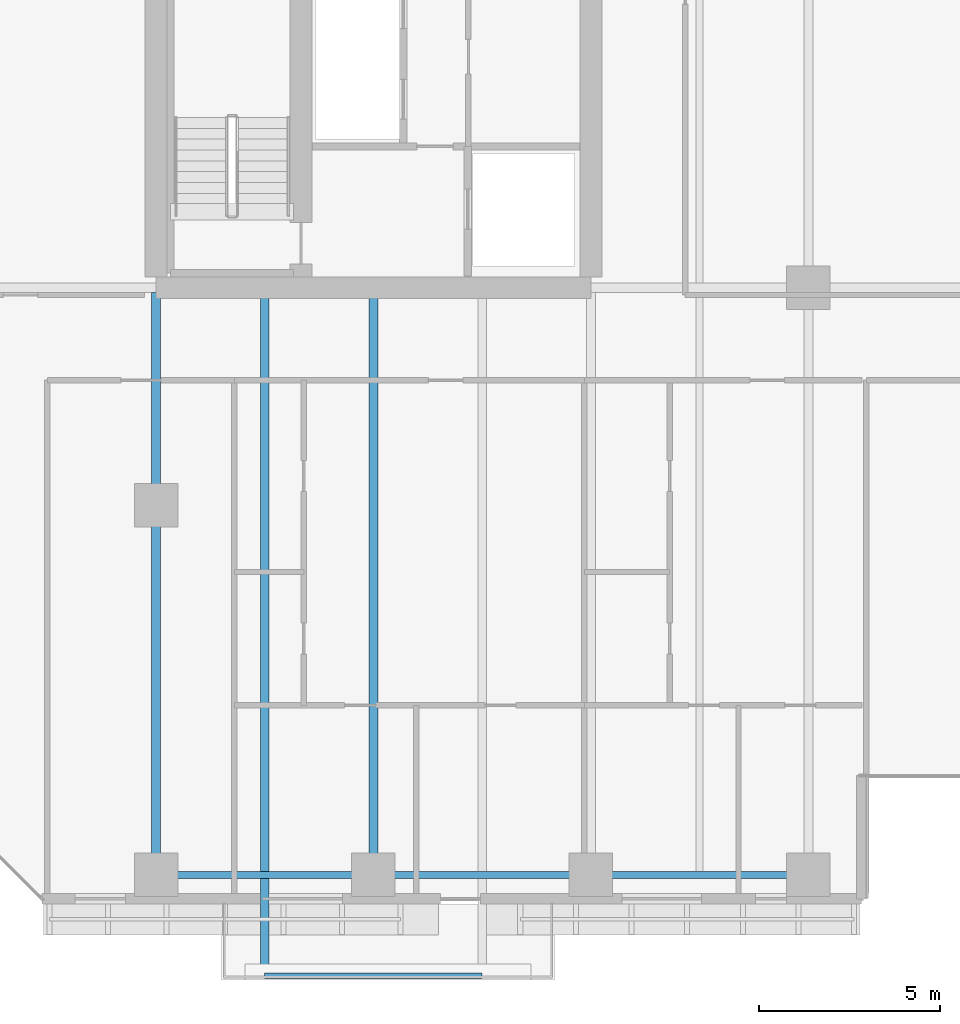
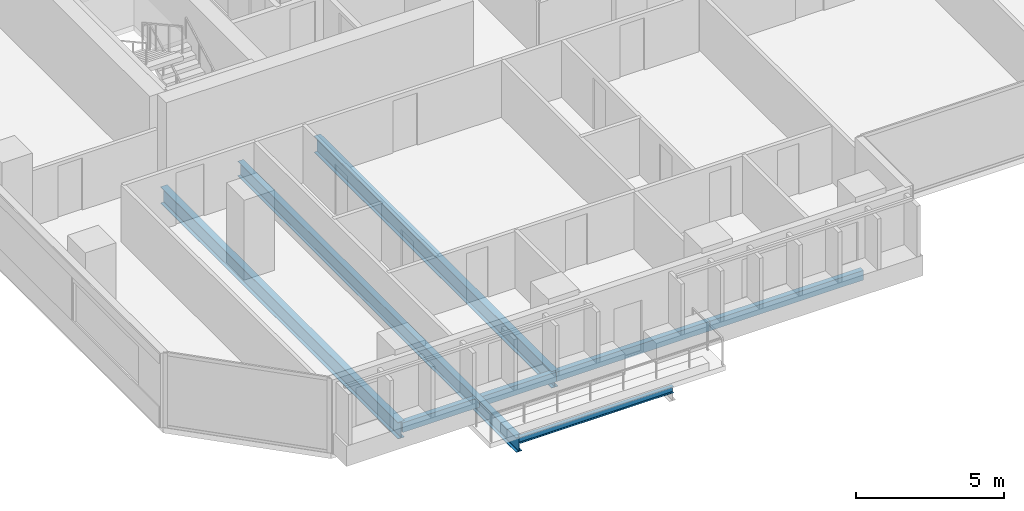
# One storey, part 3 of 33: 7 beams.
"""IFC4 building model written with IfcOpenShell, lengths in metres."""

import ifcopenshell
import ifcopenshell.guid

model = None  # the IFC model being written
_history = None  # IfcOwnerHistory: only IFC2X3 demands one
_inside = {}  # id of a spatial element -> (the spatial element, [elements in it])
_under = {}  # id of a project, library or spatial element -> (it, [spatial elements below it])
_declared = {}  # id of a project -> (the project, [libraries it declares])
_typed = {}  # id of a type object -> (the type object, [elements of that type])
_made_of = {}  # id of a material, layer set ... -> (it, [elements and type objects made of it])


def new_model(schema):
    """Start an empty IFC model of exactly this schema.

    Asked for "IFC4X3", IfcOpenShell would pick the latest addendum, in which some entities
    have other attributes; the version numbers below select the first issue.
    IFC2X3 requires an IfcOwnerHistory on every rooted entity: one is made here for all.
    """
    global model, _history
    if schema == "IFC4X3":
        model = ifcopenshell.file(schema_version=(4, 3, 0, 0))
    else:
        model = ifcopenshell.file(schema=schema)
    _inside.clear()
    _under.clear()
    _declared.clear()
    _typed.clear()
    _made_of.clear()
    _history = None
    if model.schema == "IFC2X3":
        org = make("IfcOrganization", Name="unknown")
        user = make(
            "IfcPersonAndOrganization",
            ThePerson=make("IfcPerson", FamilyName="unknown"),
            TheOrganization=org,
        )
        app = make(
            "IfcApplication",
            ApplicationDeveloper=org,
            Version="unknown",
            ApplicationFullName="unknown",
            ApplicationIdentifier="unknown",
        )
        _history = make(
            "IfcOwnerHistory",
            OwningUser=user,
            OwningApplication=app,
            ChangeAction="ADDED",
            CreationDate=0,
        )
    return model


def make(cls, **values):
    """One entity of the class cls with the attributes given. An attribute that is None is left unset."""
    return model.create_entity(
        cls, **{name: value for name, value in values.items() if value is not None}
    )


def rooted(cls, **values):
    """An entity with a GlobalId (a new one), such as an element, a storey or a relation."""
    return make(cls, GlobalId=ifcopenshell.guid.new(), OwnerHistory=_history, **values)


def si_unit(unit_type, name, prefix=None):
    """IfcSIUnit, for example si_unit("LENGTHUNIT", "METRE", prefix="MILLI")."""
    return make("IfcSIUnit", UnitType=unit_type, Prefix=prefix, Name=name)


def assignment(units):
    """IfcUnitAssignment: the units of a project."""
    return None if units is None else make("IfcUnitAssignment", Units=units)


def point(xyz):
    """IfcCartesianPoint."""
    return None if xyz is None else make("IfcCartesianPoint", Coordinates=xyz)


def direction(xyz):
    """IfcDirection."""
    return None if xyz is None else make("IfcDirection", DirectionRatios=xyz)


def frame(location, z_axis=None, x_axis=None):
    """IfcAxis2Placement3D, a coordinate frame: its origin and axes. An axis left out is left unset."""
    return make(
        "IfcAxis2Placement3D",
        Location=point(location),
        Axis=direction(z_axis),
        RefDirection=direction(x_axis),
    )


def frame_2d(location, x_axis=None):
    """IfcAxis2Placement2D, a coordinate frame in the plane: its origin and x axis."""
    return make(
        "IfcAxis2Placement2D", Location=point(location), RefDirection=direction(x_axis)
    )


def origin():
    """The frame at (0, 0, 0) with its axes left unset."""
    return frame((0.0, 0.0, 0.0))


def origin_2d():
    """The frame at (0, 0) in the plane with its x axis left unset."""
    return frame_2d((0.0, 0.0))


def place(relative_to, where):
    """IfcLocalPlacement: puts the frame where relative to a parent placement (None: the world)."""
    return make(
        "IfcLocalPlacement", PlacementRelTo=relative_to, RelativePlacement=where
    )


def context(
    kind, dimensions, precision=None, world=None, true_north=None, identifier=None
):
    """IfcGeometricRepresentationContext, for example the 3D "Model" context."""
    return make(
        "IfcGeometricRepresentationContext",
        ContextIdentifier=identifier,
        ContextType=kind,
        CoordinateSpaceDimension=dimensions,
        Precision=precision,
        WorldCoordinateSystem=world,
        TrueNorth=true_north,
    )


def subcontext(parent, identifier, kind, view, scale=None):
    """IfcGeometricRepresentationSubContext, for example "Body" below "Model"."""
    return make(
        "IfcGeometricRepresentationSubContext",
        ContextIdentifier=identifier,
        ContextType=kind,
        ParentContext=parent,
        TargetScale=scale,
        TargetView=view,
    )


def project(units=None, contexts=None):
    """IfcProject with its units and contexts."""
    return rooted(
        "IfcProject",
        Name="project",
        RepresentationContexts=contexts,
        UnitsInContext=assignment(units),
    )


def spatial(cls, under=None, at=None, **own):
    """A site, building, storey or space (cls), placed at a placement, below another one or the project."""
    s = rooted(cls, ObjectPlacement=at, **own)
    if under is not None:
        _under.setdefault(under.id(), (under, []))[1].append(s)
    return s


def profile(cls, at=None, kind="AREA", **sizes):
    """A parametric profile (cls). Its sizes go by their IFC names, for example OverallWidth=200.0."""
    return make(cls, ProfileType=kind, Position=at, **sizes)


def hollow_rectangle(**sizes):
    """IfcRectangleHollowProfileDef."""
    return profile("IfcRectangleHollowProfileDef", **sizes)


def i_section(**sizes):
    """IfcIShapeProfileDef."""
    return profile("IfcIShapeProfileDef", **sizes)


def extrude(swept, where, along, depth):
    """IfcExtrudedAreaSolid: the profile swept, set in the frame where, extruded along a direction by depth."""
    return make(
        "IfcExtrudedAreaSolid",
        SweptArea=swept,
        Position=where,
        ExtrudedDirection=direction(along),
        Depth=depth,
    )


def shape(context_of_items, identifier, shape_type, items):
    """IfcShapeRepresentation: the items that make up one representation, for example the "Body"."""
    return make(
        "IfcShapeRepresentation",
        ContextOfItems=context_of_items,
        RepresentationIdentifier=identifier,
        RepresentationType=shape_type,
        Items=items,
    )


def material(Name=None, Category=None):
    """IfcMaterial."""
    return make("IfcMaterial", Name=Name, Category=Category)


def material_profile(
    of_material, cross_section, Name=None, Category=None, Priority=None
):
    """IfcMaterialProfile: a cross section and its material."""
    return make(
        "IfcMaterialProfile",
        Name=Name,
        Material=of_material,
        Profile=cross_section,
        Priority=Priority,
        Category=Category,
    )


def profile_set(profiles, Name=None, composite=None):
    """IfcMaterialProfileSet."""
    return make(
        "IfcMaterialProfileSet",
        Name=Name,
        MaterialProfiles=profiles,
        CompositeProfile=composite,
    )


def made_of(thing, what):
    """Note that an element or type object is made of a material, layer set ...; save() writes the relation."""
    if what is not None:
        _made_of.setdefault(what.id(), (what, []))[1].append(thing)
    return thing


def type_object(cls, material=None, **own):
    """A type object (cls), such as IfcWallType, which elements share."""
    return made_of(rooted(cls, **own), material)


def element(
    cls,
    number,
    at=None,
    inside=None,
    cuts=None,
    type_object=None,
    material=None,
    context=None,
    identifier="Body",
    shape_type=None,
    held_by="IfcProductDefinitionShape",
    body=None,
    shapes=None,
    **own,
):
    """One element of the class cls, such as IfcWall. Its Tag is "e" and its number.

    at: its placement. inside: the storey or other place that contains it. cuts: it is an
    opening in that element (IfcRelVoidsElement). A single representation is given by context,
    identifier, shape_type and body (its items); several are given by shapes. held_by: the class
    of the entity that holds the representations. save() writes the other relations.
    """
    e = rooted(cls, Tag="e%d" % number, ObjectPlacement=at, **own)
    if body is not None:
        shapes = [shape(context, identifier, shape_type, body)]
    if shapes is not None:
        e.Representation = make(held_by, Representations=shapes)
    if inside is not None:
        _inside.setdefault(inside.id(), (inside, []))[1].append(e)
    if cuts is not None:
        rooted(
            "IfcRelVoidsElement", RelatingBuildingElement=cuts, RelatedOpeningElement=e
        )
    if type_object is not None:
        _typed.setdefault(type_object.id(), (type_object, []))[1].append(e)
    return made_of(e, material)


def aggregate(whole, parts):
    """IfcRelAggregates: a whole, such as a stair, and the parts it consists of."""
    return rooted("IfcRelAggregates", RelatingObject=whole, RelatedObjects=parts)


def save(model, path):
    """Write the relations noted so far, then the file.

    IfcRelAggregates (storeys below a building ...), IfcRelContainedInSpatialStructure (elements
    in a storey), IfcRelDefinesByType, IfcRelAssociatesMaterial and IfcRelDeclares: one each for
    every whole, place, type object, material and project.
    """
    for whole, parts in _under.values():
        aggregate(whole, parts)
    for where, things in _inside.values():
        rooted(
            "IfcRelContainedInSpatialStructure",
            RelatedElements=things,
            RelatingStructure=where,
        )
    for kind, things in _typed.values():
        rooted("IfcRelDefinesByType", RelatedObjects=things, RelatingType=kind)
    for what, things in _made_of.values():
        rooted("IfcRelAssociatesMaterial", RelatedObjects=things, RelatingMaterial=what)
    for by, libraries in _declared.values():
        rooted("IfcRelDeclares", RelatingContext=by, RelatedDefinitions=libraries)
    model.write(path)


model = new_model("IFC4")

# Units and contexts
model_context = context("Model", 3, precision=1e-05, world=origin(), true_north=direction((0.0, 1.0)))
body_context = subcontext(model_context, "Body", "Model", "MODEL_VIEW")
ifc_project = project(units=[si_unit("LENGTHUNIT", "METRE"), si_unit("AREAUNIT", "SQUARE_METRE"), si_unit("VOLUMEUNIT", "CUBIC_METRE"), si_unit("PLANEANGLEUNIT", "RADIAN"), si_unit("MASSUNIT", "GRAM", prefix="KILO")], contexts=[model_context])

# Site, building, storey
site_placement = place(None, origin())
site = spatial("IfcSite", under=ifc_project, at=site_placement, CompositionType="ELEMENT")
building_placement = place(site_placement, origin())
building = spatial("IfcBuilding", under=site, at=building_placement, Name="Tanjung Sevakor Pilgrim Tower", CompositionType="ELEMENT")
storey_placement = place(building_placement, frame((0.0, 0.0, 52.139892578125)))
storey = spatial("IfcBuildingStorey", under=building, at=storey_placement, Name="L14", CompositionType="ELEMENT", Elevation=52.139892578125)

# Beams
ifc_material_1 = material(Name="Steel S355J2", Category="steel")
ifc_material_profile_1 = material_profile(ifc_material_1, i_section(OverallWidth=0.25439453125, OverallDepth=0.6875, WebThickness=0.01318359375, FlangeThickness=0.02099609375, FilletRadius=0.01513671875, at=origin_2d()))
ifc_profile_set_1 = profile_set([ifc_material_profile_1], Name="Steel S355J2")
beam_type_1 = type_object("IfcBeamType", Name="BM-B-G2-UB_686x254x152", PredefinedType="BEAM", material=ifc_profile_set_1)
for number, where, z_axis, x_axis, name in (
    (1, (24.0, 8.39990234375, -0.5634765625), (0.0, 1.0, 0.0), (-1.0, 0.0, 0.0), "L14 MAIN Girder 001"),
    (2, (30.0, 8.39990234375, -0.5634765625), (0.0, 1.0, 0.0), (-1.0, 0.0, 0.0), "L14 MAIN Girder 003"),
):
    element("IfcBeam", number, at=place(storey_placement, frame(where, z_axis=z_axis, x_axis=x_axis)), inside=storey, type_object=beam_type_1, Name=name, PredefinedType="BEAM", context=body_context, shape_type="SweptSolid", body=[
        extrude(i_section(OverallWidth=0.25439453125, OverallDepth=0.6875, WebThickness=0.01318359375, FlangeThickness=0.02099609375, FilletRadius=0.01513671875, at=origin_2d()), origin(), (0.0, 0.0, 1.0), 16.066162109375),
    ])
ifc_material_2 = material(Name="Steel S355J2", Category="steel")
ifc_material_profile_2 = material_profile(ifc_material_2, i_section(OverallWidth=0.22900390625, OverallDepth=0.6123046875, WebThickness=0.011962890625, FlangeThickness=0.01953125, FilletRadius=0.0126953125, at=origin_2d()))
ifc_profile_set_2 = profile_set([ifc_material_profile_2], Name="Steel S355J2")
beam_type_2 = type_object("IfcBeamType", Name="BM-B-G4-UB_610x229x125", PredefinedType="BEAM", material=ifc_profile_set_2)
beam_1_placement = place(storey_placement, frame((27.0, 24.466064453125, -0.52587890625), z_axis=(0.0, -1.0, 0.0), x_axis=(1.0, 0.0, 0.0)))
element("IfcBeam", 3, at=beam_1_placement, inside=storey, type_object=beam_type_2, Name="L14 Balcony Cantilever Beam MAIN-S1-1", PredefinedType="BEAM", context=body_context, shape_type="SweptSolid", body=[
    extrude(i_section(OverallWidth=0.22900390625, OverallDepth=0.6123046875, WebThickness=0.011962890625, FlangeThickness=0.01953125, FilletRadius=0.0126953125, at=origin_2d()), origin(), (0.0, 0.0, 1.0), 18.845947265625),
])
ifc_material_3 = material(Name="Steel S355J2", Category="steel")
ifc_material_profile_3 = material_profile(ifc_material_3, i_section(OverallWidth=0.146484375, OverallDepth=0.256103515625, WebThickness=0.00634765625, FlangeThickness=0.010986328125, FilletRadius=0.007568359375, at=origin_2d()))
ifc_profile_set_3 = profile_set([ifc_material_profile_3], Name="Steel S355J2")
beam_type_3 = type_object("IfcBeamType", Name="BM-B-J6-UB_254x146x37", PredefinedType="JOIST", material=ifc_profile_set_3)
beam_2_placement = place(storey_placement, frame((27.0, 5.6201171875, -0.327880859375), z_axis=(1.0, 0.0, 0.0), x_axis=(0.0, 1.0, 0.0)))
element("IfcBeam", 4, at=beam_2_placement, inside=storey, type_object=beam_type_3, Name="L14 Balcony Rim Tie MAIN-S1", PredefinedType="JOIST", context=body_context, shape_type="SweptSolid", body=[
    extrude(i_section(OverallWidth=0.146484375, OverallDepth=0.256103515625, WebThickness=0.00634765625, FlangeThickness=0.010986328125, FilletRadius=0.007568359375, at=origin_2d()), origin(), (0.0, 0.0, 1.0), 6.0),
])
ifc_material_4 = material(Name="Steel S355J2", Category="steel")
ifc_material_profile_4 = material_profile(ifc_material_4, hollow_rectangle(XDim=0.199951171875, YDim=0.39990234375, WallThickness=0.01611328125, at=origin_2d()))
ifc_profile_set_4 = profile_set([ifc_material_profile_4], Name="Steel S355J2")
beam_type_4 = type_object("IfcBeamType", Name="BM-B-SP2-RHS_400x200x16", PredefinedType="SPANDREL", material=ifc_profile_set_4)
for number, where, z_axis, x_axis, name in (
    (5, (24.0, 8.39990234375, -0.419921875), (1.0, 0.0, 0.0), (0.0, 1.0, 0.0), "L14 Spandrel MAIN S-01"),
    (6, (30.0, 8.39990234375, -0.419921875), (1.0, 0.0, 0.0), (0.0, 1.0, 0.0), "L14 Spandrel MAIN S-03"),
    (7, (36.0, 8.39990234375, -0.419921875), (1.0, 0.0, 0.0), (0.0, 1.0, 0.0), "L14 Spandrel MAIN S-05"),
):
    element("IfcBeam", number, at=place(storey_placement, frame(where, z_axis=z_axis, x_axis=x_axis)), inside=storey, type_object=beam_type_4, Name=name, PredefinedType="SPANDREL", context=body_context, shape_type="SweptSolid", body=[
        extrude(hollow_rectangle(XDim=0.199951171875, YDim=0.39990234375, WallThickness=0.01611328125, at=origin_2d()), origin(), (0.0, 0.0, 1.0), 6.0),
    ])

save(model, "model.ifc")
